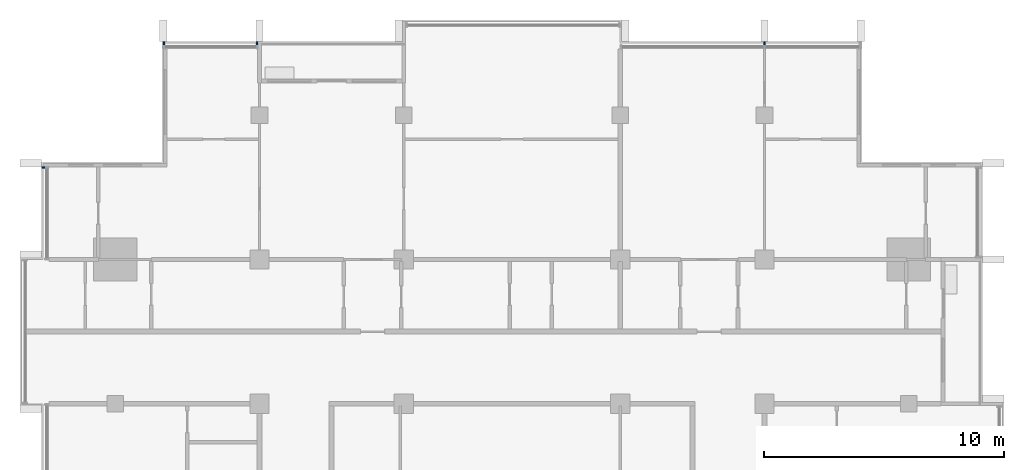
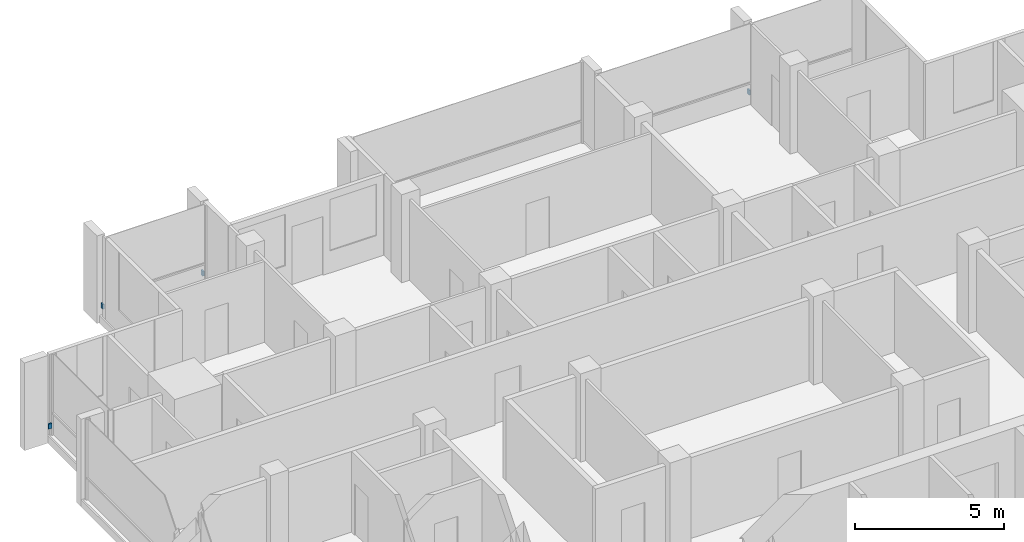
# One storey, part 14 of 16: 4 discrete accessories.
"""IFC4 building model written with IfcOpenShell, lengths in metres."""

from ifc_helpers import new_model, si_unit, direction, frame, origin, origin_2d, place, context, subcontext, project, spatial, rectangle, extrude, material, type_object, element, save


model = new_model("IFC4")

# Units and contexts
model_context = context("Model", 3, precision=1e-05, world=origin(), true_north=direction((0.0, 1.0)))
body_context = subcontext(model_context, "Body", "Model", "MODEL_VIEW")
ifc_project = project(units=[si_unit("LENGTHUNIT", "METRE"), si_unit("AREAUNIT", "SQUARE_METRE"), si_unit("VOLUMEUNIT", "CUBIC_METRE"), si_unit("PLANEANGLEUNIT", "RADIAN"), si_unit("MASSUNIT", "GRAM", prefix="KILO")], contexts=[model_context])

# Site, building, storey
site_placement = place(None, origin())
site = spatial("IfcSite", under=ifc_project, at=site_placement, CompositionType="ELEMENT")
building_placement = place(site_placement, origin())
building = spatial("IfcBuilding", under=site, at=building_placement, Name="Finial Court Residences", CompositionType="ELEMENT")
storey_placement = place(building_placement, frame((0.0, 0.0, 280.699951171875)))
storey = spatial("IfcBuildingStorey", under=building, at=storey_placement, Name="L71", CompositionType="ELEMENT", Elevation=280.699951171875)

# Discrete accessories
ifc_material = material(Name="Stainless steel 316", Category="steel")
discrete_accessory_type = type_object("IfcDiscreteAccessoryType", Name="Fin bracket, stainless steel 60 x 122 x 200", PredefinedType="BRACKET", material=ifc_material)
for number, where, z_axis, x_axis, name in (
    (1, (-14.469970703125, 16.498779296875, 0.30029296875), (0.0, 0.0, 1.0), (1.0, 0.0, 0.0), "E-L71-FIN-N1-BRK"),
    (2, (-10.60498046875, 16.498779296875, 0.30029296875), (0.0, 0.0, 1.0), (1.0, 0.0, 0.0), "E-L71-FIN-N2-BRK"),
    (3, (10.5, 16.498779296875, 0.30029296875), (0.0, 0.0, 1.0), (1.0, 0.0, 0.0), "E-L71-FIN-N5-BRK"),
):
    element("IfcDiscreteAccessory", number, at=place(storey_placement, frame(where, z_axis=z_axis, x_axis=x_axis)), inside=storey, type_object=discrete_accessory_type, Name=name, PredefinedType="BRACKET", context=body_context, shape_type="SweptSolid", body=[
        extrude(rectangle(XDim=0.06005859375, YDim=0.12255859375, at=origin_2d()), origin(), (0.0, 0.0, 1.0), 0.199951171875),
    ])
discrete_accessory_placement = place(storey_placement, frame((-19.498779296875, 11.320068359375, 0.30029296875), z_axis=(0.0, 0.0, 1.0), x_axis=(1.0, 0.0, 0.0)))
element("IfcDiscreteAccessory", 4, at=discrete_accessory_placement, inside=storey, type_object=discrete_accessory_type, Name="E-L71-FIN-W26-BRK", PredefinedType="BRACKET", context=body_context, shape_type="SweptSolid", body=[
    extrude(rectangle(XDim=0.12255859375, YDim=0.06005859375, at=origin_2d()), origin(), (0.0, 0.0, 1.0), 0.199951171875),
])

save(model, "model.ifc")
